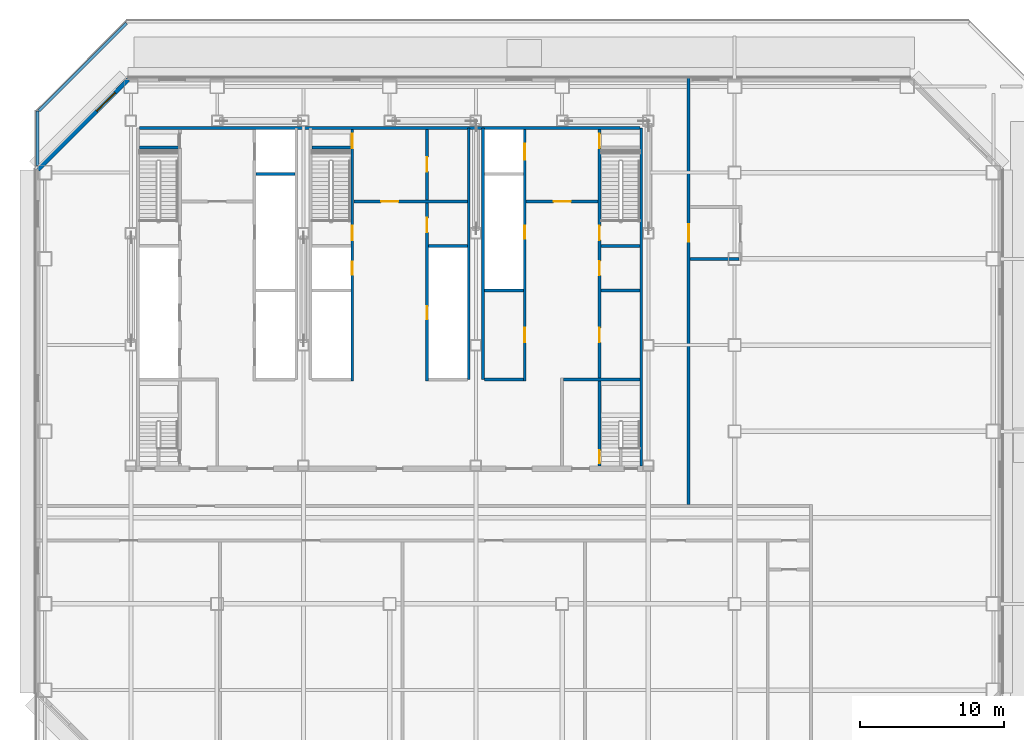
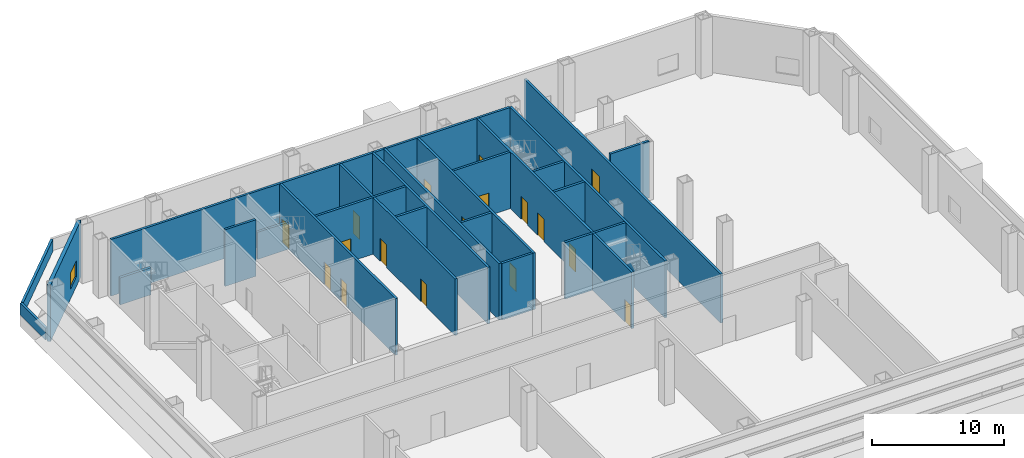
# One storey, part 5 of 11: 24 walls, 17 doors, 1 window, 18 openings.
"""IFC4 building model written with IfcOpenShell, lengths in metres."""

from ifc_helpers import new_model, si_unit, direction, frame, frame_2d, origin, place, context, subcontext, project, spatial, rectangle, extrude, material, layer, layer_set, type_object, element, fill, save


model = new_model("IFC4")

# Units and contexts
model_context = context("Model", 3, precision=1e-05, world=origin(), true_north=direction((0.0, 1.0)))
body_context = subcontext(model_context, "Body", "Model", "MODEL_VIEW")
ifc_project = project(units=[si_unit("LENGTHUNIT", "METRE"), si_unit("AREAUNIT", "SQUARE_METRE"), si_unit("VOLUMEUNIT", "CUBIC_METRE"), si_unit("PLANEANGLEUNIT", "RADIAN"), si_unit("MASSUNIT", "GRAM", prefix="KILO")], contexts=[model_context])

# Site, building, storey
site_placement = place(None, origin())
site = spatial("IfcSite", under=ifc_project, at=site_placement, CompositionType="ELEMENT")
building_placement = place(site_placement, origin())
building = spatial("IfcBuilding", under=site, at=building_placement, Name="Sorahane Residences", CompositionType="ELEMENT")
storey_placement = place(building_placement, frame((0.0, 0.0, 44.39990234375)))
storey = spatial("IfcBuildingStorey", under=building, at=storey_placement, Name="L07", CompositionType="ELEMENT", Elevation=44.39990234375)

# Walls
ifc_material_1 = material(Name="Concrete C30", Category="concrete")
ifc_layer_1 = layer(ifc_material_1, 0.199951171875)
ifc_layer_set_1 = layer_set([ifc_layer_1], Name="Core face wall 200 EI 180")
wall_type_1 = type_object("IfcWallType", Name="Core face wall 200 EI 180", PredefinedType="SOLIDWALL", material=ifc_layer_set_1)
wall_1_placement = place(storey_placement, frame((41.5, 21.60009765625, 0.0), z_axis=(0.0, 0.0, 1.0), x_axis=(0.0, 1.0, 0.0)))
element("IfcWall", 1, at=wall_1_placement, inside=storey, type_object=wall_type_1, Name="L07 core face wall", PredefinedType="SOLIDWALL", context=body_context, shape_type="SweptSolid", body=[
    extrude(rectangle(XDim=23.5, YDim=0.199951171875, at=frame_2d((11.75, 0.0))), origin(), (0.0, 0.0, 1.0), 5.22021484375),
])
wall_2_placement = place(storey_placement, frame((6.60009765625, 45.10009765625, 0.0), z_axis=(0.0, 0.0, 1.0), x_axis=(1.0, 0.0, 0.0)))
element("IfcWall", 2, at=wall_2_placement, inside=storey, type_object=wall_type_1, Name="L07 core face wall", PredefinedType="SOLIDWALL", context=body_context, shape_type="SweptSolid", body=[
    extrude(rectangle(XDim=34.7998046875, YDim=0.199951171875, at=frame_2d((17.39990234375, 0.0))), origin(), (0.0, 0.0, 1.0), 5.22021484375),
])
for number, where, z_axis, x_axis, name in (
    (3, (29.5, 27.60009765625, 0.0), (0.0, 0.0, 1.0), (0.0, 1.0, 0.0), "L07 core face wall"),
    (4, (30.5, 27.60009765625, 0.0), (0.0, 0.0, 1.0), (0.0, 1.0, 0.0), "L07 core face wall"),
):
    element("IfcWall", number, at=place(storey_placement, frame(where, z_axis=z_axis, x_axis=x_axis)), inside=storey, type_object=wall_type_1, Name=name, PredefinedType="SOLIDWALL", context=body_context, shape_type="SweptSolid", body=[
        extrude(rectangle(XDim=17.5, YDim=0.199951171875, at=frame_2d((8.75, 0.0))), origin(), (0.0, 0.0, 1.0), 5.22021484375),
    ])

# Wall, opening, window
ifc_material_2 = material(Name="Graphite insulated metal-clad wall")
ifc_layer_2 = layer(ifc_material_2, 0.300048828125)
ifc_layer_set_2 = layer_set([ifc_layer_2], Name="External wall insulated metal-clad 300")
wall_type_2 = type_object("IfcWallType", Name="External wall insulated metal-clad 300", PredefinedType="SOLIDWALL", material=ifc_layer_set_2)
wall_3_placement = place(storey_placement, frame((5.805419921875, 48.469970703125, 0.0), z_axis=(0.0, 0.0, 1.0), x_axis=(-0.707106781187, -0.707106781187, 0.0)))
wall_3 = element("IfcWall", 5, at=wall_3_placement, inside=storey, type_object=wall_type_2, Name="External plant wall L07 NW1", PredefinedType="SOLIDWALL", context=body_context, shape_type="SweptSolid", body=[
    extrude(rectangle(XDim=8.874755859375, YDim=0.300048828125, at=frame_2d((4.4375, 0.0))), origin(), (0.0, 0.0, 1.0), 5.22021484375),
])
opening_1_placement = place(wall_3_placement, frame((1.291748046875, 0.0, 0.89990234375)))
opening_1 = element("IfcOpeningElement", 6, at=opening_1_placement, cuts=wall_3, Name="Opening W-R1", PredefinedType="OPENING", context=body_context, shape_type="SweptSolid", body=[
    extrude(rectangle(XDim=1.800048828125, YDim=1.5, at=frame_2d((0.89990234375, 0.75))), frame((0.0, 0.159912109375, 0.0), z_axis=(0.0, -1.0, 0.0), x_axis=(1.0, 0.0, 0.0)), (0.0, 0.0, 1.0), 0.320068359375),
])
ifc_material_3 = material(Name="Dark aluminium and glass", Category="aluminium")
window_type = type_object("IfcWindowType", Name="Openable Class B fire window dark aluminium 1800x1500", PartitioningType="SINGLE_PANEL", PredefinedType="WINDOW", material=ifc_material_3)
window_placement = place(opening_1_placement, origin())
window = element("IfcWindow", 7, at=window_placement, inside=storey, type_object=window_type, Name="Openable fire window L07 NW1.1", OverallHeight=1.5, OverallWidth=1.800048828125, PartitioningType="SINGLE_PANEL", PredefinedType="WINDOW", context=body_context, shape_type="SweptSolid", body=[
    extrude(rectangle(XDim=1.800048828125, YDim=1.5, at=frame_2d((0.89990234375, 0.75))), frame((0.0, 0.030029296875, 0.0), z_axis=(0.0, -1.0, 0.0), x_axis=(1.0, 0.0, 0.0)), (0.0, 0.0, 1.0), 0.06005859375),
])
fill(opening_1, window)

# Wall, opening, door
ifc_material_4 = material(Name="Concrete blockwork C20 wall", Category="masonry")
ifc_layer_3 = layer(ifc_material_4, 0.199951171875)
ifc_layer_set_3 = layer_set([ifc_layer_3], Name="Fire wall 200 EI 120")
wall_type_3 = type_object("IfcWallType", Name="Fire wall 200 EI 120", PredefinedType="SOLIDWALL", material=ifc_layer_set_3)
wall_4_placement = place(storey_placement, frame((44.800048828125, 18.89990234375, 0.0), z_axis=(0.0, 0.0, 1.0), x_axis=(0.0, 1.0, 0.0)))
wall_4 = element("IfcWall", 8, at=wall_4_placement, inside=storey, type_object=wall_type_3, Name="L07 fire wall", PredefinedType="SOLIDWALL", context=body_context, shape_type="SweptSolid", body=[
    extrude(rectangle(XDim=29.7001953125, YDim=0.199951171875, at=frame_2d((14.85009765625, 0.0))), origin(), (0.0, 0.0, 1.0), 4.52001953125),
])
opening_2_placement = place(wall_4_placement, frame((18.300048828125, 0.0, 0.0)))
opening_2 = element("IfcOpeningElement", 9, at=opening_2_placement, cuts=wall_4, Name="Opening L07-09", PredefinedType="OPENING", context=body_context, shape_type="SweptSolid", body=[
    extrude(rectangle(XDim=1.199951171875, YDim=2.39990234375, at=frame_2d((0.60009765625, 1.199951171875))), frame((0.0, 0.10986328125, 0.0), z_axis=(0.0, -1.0, 0.0), x_axis=(1.0, 0.0, 0.0)), (0.0, 0.0, 1.0), 0.219970703125),
])
ifc_material_5 = material(Name="Steel", Category="steel")
door_type_1 = type_object("IfcDoorType", Name="Lobby door 1200x2400 FD60", OperationType="NOTDEFINED", PredefinedType="DOOR", material=ifc_material_5)
door_1_placement = place(opening_2_placement, origin())
door_1 = element("IfcDoor", 10, at=door_1_placement, inside=storey, type_object=door_type_1, Name="Lobby door L07-09", OperationType="SINGLE_SWING_LEFT", OverallHeight=2.39990234375, OverallWidth=1.199951171875, PredefinedType="DOOR", context=body_context, shape_type="SweptSolid", body=[
    extrude(rectangle(XDim=1.199951171875, YDim=2.39990234375, at=frame_2d((0.60009765625, 1.199951171875))), frame((0.0, 0.02490234375, 0.0), z_axis=(0.0, -1.0, 0.0), x_axis=(1.0, 0.0, 0.0)), (0.0, 0.0, 1.0), 0.050048828125),
])
fill(opening_2, door_1)

# Wall
wall_5_placement = place(storey_placement, frame((44.89990234375, 36.0, 0.0), z_axis=(0.0, 0.0, 1.0), x_axis=(1.0, 0.0, 0.0)))
element("IfcWall", 11, at=wall_5_placement, inside=storey, type_object=wall_type_3, Name="L07 fire wall", PredefinedType="SOLIDWALL", context=body_context, shape_type="SweptSolid", body=[
    extrude(rectangle(XDim=3.400146484375, YDim=0.199951171875, at=frame_2d((1.7001953125, 0.0))), origin(), (0.0, 0.0, 1.0), 5.22021484375),
])

# Wall, opening, door
ifc_material_6 = material(Name="Concrete C30", Category="concrete")
ifc_layer_4 = layer(ifc_material_6, 0.199951171875)
ifc_layer_set_4 = layer_set([ifc_layer_4], Name="Front room wall 200 EI 120")
wall_type_4 = type_object("IfcWallType", Name="Front room wall 200 EI 120", PredefinedType="PARTITIONING", material=ifc_layer_set_4)
wall_6_placement = place(storey_placement, frame((21.5, 40.0, 0.0), z_axis=(0.0, 0.0, 1.0), x_axis=(1.0, 0.0, 0.0)))
wall_6 = element("IfcWall", 12, at=wall_6_placement, inside=storey, type_object=wall_type_4, Name="L07 front room wall", PredefinedType="PARTITIONING", context=body_context, shape_type="SweptSolid", body=[
    extrude(rectangle(XDim=7.89990234375, YDim=0.199951171875, at=frame_2d((3.949951171875, 0.0))), origin(), (0.0, 0.0, 1.0), 5.22021484375),
])
opening_3_placement = place(wall_6_placement, frame((1.89990234375, 0.0, 0.0)))
opening_3 = element("IfcOpeningElement", 13, at=opening_3_placement, cuts=wall_6, Name="Opening L07-C07", PredefinedType="OPENING", context=body_context, shape_type="SweptSolid", body=[
    extrude(rectangle(XDim=1.199951171875, YDim=2.10009765625, at=frame_2d((0.60009765625, 1.050048828125))), frame((0.0, 0.10986328125, 0.0), z_axis=(0.0, -1.0, 0.0), x_axis=(1.0, 0.0, 0.0)), (0.0, 0.0, 1.0), 0.219970703125),
])
ifc_material_7 = material(Name="Steel", Category="steel")
door_type_2 = type_object("IfcDoorType", Name="Front room door 1200x2100 FD120", OperationType="NOTDEFINED", PredefinedType="DOOR", material=ifc_material_7)
door_2_placement = place(opening_3_placement, frame((1.199951171875, 0.0, 0.0), z_axis=(0.0, 0.0, 1.0), x_axis=(-1.0, 0.0, 0.0)))
door_2 = element("IfcDoor", 14, at=door_2_placement, inside=storey, type_object=door_type_2, Name="Front room door Stair S3 vestibule L07", OperationType="DOUBLE_DOOR_SINGLE_SWING", OverallHeight=2.10009765625, OverallWidth=1.199951171875, PredefinedType="DOOR", context=body_context, shape_type="SweptSolid", body=[
    extrude(rectangle(XDim=1.199951171875, YDim=2.10009765625, at=frame_2d((0.60009765625, 1.050048828125))), frame((0.0, 0.02490234375, 0.0), z_axis=(0.0, -1.0, 0.0), x_axis=(1.0, 0.0, 0.0)), (0.0, 0.0, 1.0), 0.050048828125),
])
fill(opening_3, door_2)

wall_7_placement = place(storey_placement, frame((33.5, 40.0, 0.0), z_axis=(0.0, 0.0, 1.0), x_axis=(1.0, 0.0, 0.0)))
wall_7 = element("IfcWall", 15, at=wall_7_placement, inside=storey, type_object=wall_type_4, Name="L07 front room wall", PredefinedType="PARTITIONING", context=body_context, shape_type="SweptSolid", body=[
    extrude(rectangle(XDim=5.0, YDim=0.199951171875, at=frame_2d((2.5, 0.0))), origin(), (0.0, 0.0, 1.0), 5.22021484375),
])
opening_4_placement = place(wall_7_placement, frame((1.89990234375, 0.0, 0.0)))
opening_4 = element("IfcOpeningElement", 16, at=opening_4_placement, cuts=wall_7, Name="Opening L07-C08", PredefinedType="OPENING", context=body_context, shape_type="SweptSolid", body=[
    extrude(rectangle(XDim=1.199951171875, YDim=2.10009765625, at=frame_2d((0.60009765625, 1.050048828125))), frame((0.0, 0.10986328125, 0.0), z_axis=(0.0, -1.0, 0.0), x_axis=(1.0, 0.0, 0.0)), (0.0, 0.0, 1.0), 0.219970703125),
])
door_3_placement = place(opening_4_placement, frame((1.199951171875, 0.0, 0.0), z_axis=(0.0, 0.0, 1.0), x_axis=(-1.0, 0.0, 0.0)))
door_3 = element("IfcDoor", 17, at=door_3_placement, inside=storey, type_object=door_type_2, Name="Front room door Firefighting lobby FF2 front room L07", OperationType="DOUBLE_DOOR_SINGLE_SWING", OverallHeight=2.10009765625, OverallWidth=1.199951171875, PredefinedType="DOOR", context=body_context, shape_type="SweptSolid", body=[
    extrude(rectangle(XDim=1.199951171875, YDim=2.10009765625, at=frame_2d((0.60009765625, 1.050048828125))), frame((0.0, 0.02490234375, 0.0), z_axis=(0.0, -1.0, 0.0), x_axis=(1.0, 0.0, 0.0)), (0.0, 0.0, 1.0), 0.050048828125),
])
fill(opening_4, door_3)

# Wall, openings, doors
ifc_material_8 = material(Name="Concrete C30", Category="concrete")
ifc_layer_5 = layer(ifc_material_8, 0.199951171875)
ifc_layer_set_5 = layer_set([ifc_layer_5], Name="Lift shaft wall 200 EI 120")
wall_type_5 = type_object("IfcWallType", Name="Lift shaft wall 200 EI 120", PredefinedType="SOLIDWALL", material=ifc_layer_set_5)
wall_8_placement = place(storey_placement, frame((33.39990234375, 27.5, 0.0), z_axis=(0.0, 0.0, 1.0), x_axis=(0.0, 1.0, 0.0)))
wall_8 = element("IfcWall", 18, at=wall_8_placement, inside=storey, type_object=wall_type_5, Name="L07 lift shaft wall", PredefinedType="SOLIDWALL", context=body_context, shape_type="SweptSolid", body=[
    extrude(rectangle(XDim=17.5, YDim=0.199951171875, at=frame_2d((8.75, 0.0))), origin(), (0.0, 0.0, 1.0), 5.22021484375),
])
opening_5_placement = place(wall_8_placement, frame((15.39990234375, 0.0, 0.0)))
opening_5 = element("IfcOpeningElement", 19, at=opening_5_placement, cuts=wall_8, Name="Opening L07-C09", PredefinedType="OPENING", context=body_context, shape_type="SweptSolid", body=[
    extrude(rectangle(XDim=1.10009765625, YDim=2.10009765625, at=frame_2d((0.550048828125, 1.050048828125))), frame((0.0, 0.10986328125, 0.0), z_axis=(0.0, -1.0, 0.0), x_axis=(1.0, 0.0, 0.0)), (0.0, 0.0, 1.0), 0.219970703125),
])
opening_6_placement = place(wall_8_placement, frame((2.699951171875, 0.0, 0.0)))
opening_6 = element("IfcOpeningElement", 20, at=opening_6_placement, cuts=wall_8, Name="Opening L07-C18", PredefinedType="OPENING", context=body_context, shape_type="SweptSolid", body=[
    extrude(rectangle(XDim=1.0, YDim=2.10009765625, at=frame_2d((0.5, 1.050048828125))), frame((0.0, 0.10986328125, 0.0), z_axis=(0.0, -1.0, 0.0), x_axis=(1.0, 0.0, 0.0)), (0.0, 0.0, 1.0), 0.219970703125),
])
opening_7_placement = place(wall_8_placement, frame((9.89990234375, 0.0, 0.0)))
opening_7 = element("IfcOpeningElement", 21, at=opening_7_placement, cuts=wall_8, Name="Opening L07-C30", PredefinedType="OPENING", context=body_context, shape_type="SweptSolid", body=[
    extrude(rectangle(XDim=0.89990234375, YDim=2.10009765625, at=frame_2d((0.449951171875, 1.050048828125))), frame((0.0, 0.10986328125, 0.0), z_axis=(0.0, -1.0, 0.0), x_axis=(1.0, 0.0, 0.0)), (0.0, 0.0, 1.0), 0.219970703125),
])
ifc_material_9 = material(Name="Aluminium and stainless steel", Category="steel")
door_type_3 = type_object("IfcDoorType", Name="Lift landing door 1100x2100 E 60", OperationType="NOTDEFINED", PredefinedType="DOOR", material=ifc_material_9)
door_4_placement = place(opening_5_placement, origin())
door_4 = element("IfcDoor", 22, at=door_4_placement, inside=storey, type_object=door_type_3, Name="Lift landing door FF2 L07", OperationType="DOUBLE_DOOR_SLIDING", OverallHeight=2.10009765625, OverallWidth=1.10009765625, PredefinedType="DOOR", context=body_context, shape_type="SweptSolid", body=[
    extrude(rectangle(XDim=1.10009765625, YDim=2.10009765625, at=frame_2d((0.550048828125, 1.050048828125))), frame((0.0, 0.02490234375, 0.0), z_axis=(0.0, -1.0, 0.0), x_axis=(1.0, 0.0, 0.0)), (0.0, 0.0, 1.0), 0.050048828125),
])
fill(opening_5, door_4)
ifc_material_10 = material(Name="Steel", Category="steel")
door_type_4 = type_object("IfcDoorType", Name="Riser door 900x2100 FD120", OperationType="NOTDEFINED", PredefinedType="DOOR", material=ifc_material_10)
door_5_placement = place(opening_7_placement, frame((0.89990234375, 0.0, 0.0), z_axis=(0.0, 0.0, 1.0), x_axis=(-1.0, 0.0, 0.0)))
door_5 = element("IfcDoor", 23, at=door_5_placement, inside=storey, type_object=door_type_4, Name="Riser door R2 L07", OperationType="SINGLE_SWING_LEFT", OverallHeight=2.10009765625, OverallWidth=0.89990234375, PredefinedType="DOOR", context=body_context, shape_type="SweptSolid", body=[
    extrude(rectangle(XDim=0.89990234375, YDim=2.10009765625, at=frame_2d((0.449951171875, 1.050048828125))), frame((0.0, 0.02490234375, 0.0), z_axis=(0.0, -1.0, 0.0), x_axis=(1.0, 0.0, 0.0)), (0.0, 0.0, 1.0), 0.050048828125),
])
fill(opening_7, door_5)
ifc_material_11 = material(Name="Steel", Category="steel")
door_type_5 = type_object("IfcDoorType", Name="Service room door 1000x2100 FD60", OperationType="NOTDEFINED", PredefinedType="DOOR", material=ifc_material_11)
door_6_placement = place(opening_6_placement, origin())
door_6 = element("IfcDoor", 24, at=door_6_placement, inside=storey, type_object=door_type_5, Name="Service room door Audio room L07", OperationType="SINGLE_SWING_RIGHT", OverallHeight=2.10009765625, OverallWidth=1.0, PredefinedType="DOOR", context=body_context, shape_type="SweptSolid", body=[
    extrude(rectangle(XDim=1.0, YDim=2.10009765625, at=frame_2d((0.5, 1.050048828125))), frame((0.0, 0.02490234375, 0.0), z_axis=(0.0, -1.0, 0.0), x_axis=(1.0, 0.0, 0.0)), (0.0, 0.0, 1.0), 0.050048828125),
])
fill(opening_6, door_6)

# Walls
wall_9_placement = place(storey_placement, frame((14.699951171875, 41.89990234375, 0.0), z_axis=(0.0, 0.0, 1.0), x_axis=(1.0, 0.0, 0.0)))
element("IfcWall", 25, at=wall_9_placement, inside=storey, type_object=wall_type_5, Name="L07 lift shaft wall", PredefinedType="SOLIDWALL", context=body_context, shape_type="SweptSolid", body=[
    extrude(rectangle(XDim=2.699951171875, YDim=0.199951171875, at=frame_2d((1.35009765625, 0.0))), origin(), (0.0, 0.0, 1.0), 5.22021484375),
])
ifc_material_12 = material(Name="Concrete C35", Category="concrete")
ifc_layer_6 = layer(ifc_material_12, 0.199951171875)
ifc_layer_set_6 = layer_set([ifc_layer_6], Name="Parapet wall Concrete C35 200")
wall_type_6 = type_object("IfcWallType", Name="Parapet wall Concrete C35 200", PredefinedType="PARAPET", material=ifc_layer_set_6)
wall_10_placement = place(storey_placement, frame((-0.5, 42.489990234375, 0.0), z_axis=(0.0, 0.0, 1.0), x_axis=(0.0, 1.0, 0.0)))
element("IfcWall", 26, at=wall_10_placement, inside=storey, type_object=wall_type_6, Name="Roof parapet L07.1.1.1", PredefinedType="PARAPET", context=body_context, shape_type="SweptSolid", body=[
    extrude(rectangle(XDim=3.817138671875, YDim=0.199951171875, at=frame_2d((1.90869140625, 0.0))), origin(), (0.0, 0.0, 1.0), 1.10009765625),
])
wall_11_placement = place(storey_placement, frame((-0.3974609375, 46.3095703125, 0.0), z_axis=(0.0, 0.0, 1.0), x_axis=(0.707106781187, 0.707106781187, 0.0)))
element("IfcWall", 27, at=wall_11_placement, inside=storey, type_object=wall_type_6, Name="Roof parapet L07.1.1.2", PredefinedType="PARAPET", context=body_context, shape_type="SweptSolid", body=[
    extrude(rectangle(XDim=8.609619140625, YDim=0.199951171875, at=frame_2d((4.3046875, 0.0))), origin(), (0.0, 0.0, 1.0), 1.10009765625),
])

# Wall, openings, doors
ifc_material_13 = material(Name="Concrete C30", Category="concrete")
ifc_layer_7 = layer(ifc_material_13, 0.199951171875)
ifc_layer_set_7 = layer_set([ifc_layer_7], Name="Riser shaft wall 200 EI 120")
wall_type_7 = type_object("IfcWallType", Name="Riser shaft wall 200 EI 120", PredefinedType="SOLIDWALL", material=ifc_layer_set_7)
wall_12_placement = place(storey_placement, frame((26.60009765625, 27.5, 0.0), z_axis=(0.0, 0.0, 1.0), x_axis=(0.0, 1.0, 0.0)))
wall_12 = element("IfcWall", 28, at=wall_12_placement, inside=storey, type_object=wall_type_7, Name="L07 riser wall", PredefinedType="SOLIDWALL", context=body_context, shape_type="SweptSolid", body=[
    extrude(rectangle(XDim=17.5, YDim=0.199951171875, at=frame_2d((8.75, 0.0))), origin(), (0.0, 0.0, 1.0), 5.22021484375),
])
opening_8_placement = place(wall_12_placement, frame((4.300048828125, 0.0, 0.0)))
opening_8 = element("IfcOpeningElement", 29, at=opening_8_placement, cuts=wall_12, Name="Opening L07-C32", PredefinedType="OPENING", context=body_context, shape_type="SweptSolid", body=[
    extrude(rectangle(XDim=0.89990234375, YDim=2.10009765625, at=frame_2d((0.449951171875, 1.050048828125))), frame((0.0, 0.10986328125, 0.0), z_axis=(0.0, -1.0, 0.0), x_axis=(1.0, 0.0, 0.0)), (0.0, 0.0, 1.0), 0.219970703125),
])
opening_9_placement = place(wall_12_placement, frame((10.35009765625, 0.0, 0.0)))
opening_9 = element("IfcOpeningElement", 30, at=opening_9_placement, cuts=wall_12, Name="Opening L07-C33", PredefinedType="OPENING", context=body_context, shape_type="SweptSolid", body=[
    extrude(rectangle(XDim=1.0, YDim=2.10009765625, at=frame_2d((0.5, 1.050048828125))), frame((0.0, 0.10986328125, 0.0), z_axis=(0.0, -1.0, 0.0), x_axis=(1.0, 0.0, 0.0)), (0.0, 0.0, 1.0), 0.219970703125),
])
opening_10_placement = place(wall_12_placement, frame((14.574951171875, 0.0, 0.0)))
opening_10 = element("IfcOpeningElement", 31, at=opening_10_placement, cuts=wall_12, Name="Opening L07-C34", PredefinedType="OPENING", context=body_context, shape_type="SweptSolid", body=[
    extrude(rectangle(XDim=1.0, YDim=2.10009765625, at=frame_2d((0.5, 1.050048828125))), frame((0.0, 0.10986328125, 0.0), z_axis=(0.0, -1.0, 0.0), x_axis=(1.0, 0.0, 0.0)), (0.0, 0.0, 1.0), 0.219970703125),
])
door_7_placement = place(opening_8_placement, origin())
door_7 = element("IfcDoor", 32, at=door_7_placement, inside=storey, type_object=door_type_4, Name="Riser door R4 L07", OperationType="SINGLE_SWING_LEFT", OverallHeight=2.10009765625, OverallWidth=0.89990234375, PredefinedType="DOOR", context=body_context, shape_type="SweptSolid", body=[
    extrude(rectangle(XDim=0.89990234375, YDim=2.10009765625, at=frame_2d((0.449951171875, 1.050048828125))), frame((0.0, 0.02490234375, 0.0), z_axis=(0.0, -1.0, 0.0), x_axis=(1.0, 0.0, 0.0)), (0.0, 0.0, 1.0), 0.050048828125),
])
fill(opening_8, door_7)
door_8_placement = place(opening_9_placement, frame((1.0, 0.0, 0.0), z_axis=(0.0, 0.0, 1.0), x_axis=(-1.0, 0.0, 0.0)))
door_8 = element("IfcDoor", 33, at=door_8_placement, inside=storey, type_object=door_type_5, Name="Service room door Linen room L07", OperationType="SINGLE_SWING_LEFT", OverallHeight=2.10009765625, OverallWidth=1.0, PredefinedType="DOOR", context=body_context, shape_type="SweptSolid", body=[
    extrude(rectangle(XDim=1.0, YDim=2.10009765625, at=frame_2d((0.5, 1.050048828125))), frame((0.0, 0.02490234375, 0.0), z_axis=(0.0, -1.0, 0.0), x_axis=(1.0, 0.0, 0.0)), (0.0, 0.0, 1.0), 0.050048828125),
])
fill(opening_9, door_8)
door_9_placement = place(opening_10_placement, frame((1.0, 0.0, 0.0), z_axis=(0.0, 0.0, 1.0), x_axis=(-1.0, 0.0, 0.0)))
door_9 = element("IfcDoor", 34, at=door_9_placement, inside=storey, type_object=door_type_5, Name="Service room door Cleaners' store L07", OperationType="SINGLE_SWING_LEFT", OverallHeight=2.10009765625, OverallWidth=1.0, PredefinedType="DOOR", context=body_context, shape_type="SweptSolid", body=[
    extrude(rectangle(XDim=1.0, YDim=2.10009765625, at=frame_2d((0.5, 1.050048828125))), frame((0.0, 0.02490234375, 0.0), z_axis=(0.0, -1.0, 0.0), x_axis=(1.0, 0.0, 0.0)), (0.0, 0.0, 1.0), 0.050048828125),
])
fill(opening_10, door_9)

# Walls
for number, where, z_axis, x_axis, name in (
    (35, (30.60009765625, 33.800048828125, 0.0), (0.0, 0.0, 1.0), (1.0, 0.0, 0.0), "L07 riser wall"),
    (36, (26.699951171875, 36.89990234375, 0.0), (0.0, 0.0, 1.0), (1.0, 0.0, 0.0), "L07 riser wall"),
):
    element("IfcWall", number, at=place(storey_placement, frame(where, z_axis=z_axis, x_axis=x_axis)), inside=storey, type_object=wall_type_7, Name=name, PredefinedType="SOLIDWALL", context=body_context, shape_type="SweptSolid", body=[
        extrude(rectangle(XDim=2.699951171875, YDim=0.199951171875, at=frame_2d((1.35009765625, 0.0))), origin(), (0.0, 0.0, 1.0), 5.22021484375),
    ])
ifc_material_14 = material(Name="Concrete C30", Category="concrete")
ifc_layer_8 = layer(ifc_material_14, 0.199951171875)
ifc_layer_set_8 = layer_set([ifc_layer_8], Name="Service room partition 200 EI 60")
wall_type_8 = type_object("IfcWallType", Name="Service room partition 200 EI 60", PredefinedType="PARTITIONING", material=ifc_layer_set_8)
for number, where, z_axis, x_axis, name in (
    (37, (30.60009765625, 27.60009765625, 0.0), (0.0, 0.0, 1.0), (1.0, 0.0, 0.0), "L07 service room wall"),
    (38, (38.699951171875, 33.800048828125, 0.0), (0.0, 0.0, 1.0), (1.0, 0.0, 0.0), "L07 service room wall"),
):
    element("IfcWall", number, at=place(storey_placement, frame(where, z_axis=z_axis, x_axis=x_axis)), inside=storey, type_object=wall_type_8, Name=name, PredefinedType="PARTITIONING", context=body_context, shape_type="SweptSolid", body=[
        extrude(rectangle(XDim=2.699951171875, YDim=0.199951171875, at=frame_2d((1.35009765625, 0.0))), origin(), (0.0, 0.0, 1.0), 5.22021484375),
    ])

# Wall, openings, doors
ifc_material_15 = material(Name="Concrete C30", Category="concrete")
ifc_layer_9 = layer(ifc_material_15, 0.199951171875)
ifc_layer_set_9 = layer_set([ifc_layer_9], Name="Stair enclosure wall 200 EI 120")
wall_type_9 = type_object("IfcWallType", Name="Stair enclosure wall 200 EI 120", PredefinedType="SOLIDWALL", material=ifc_layer_set_9)
wall_13_placement = place(storey_placement, frame((21.39990234375, 27.5, 0.0), z_axis=(0.0, 0.0, 1.0), x_axis=(0.0, 1.0, 0.0)))
wall_13 = element("IfcWall", 39, at=wall_13_placement, inside=storey, type_object=wall_type_9, Name="L07 stair enclosure wall", PredefinedType="SOLIDWALL", context=body_context, shape_type="SweptSolid", body=[
    extrude(rectangle(XDim=17.5, YDim=0.199951171875, at=frame_2d((8.75, 0.0))), origin(), (0.0, 0.0, 1.0), 5.22021484375),
])
opening_11_placement = place(wall_13_placement, frame((16.199951171875, 0.0, 0.0)))
opening_11 = element("IfcOpeningElement", 40, at=opening_11_placement, cuts=wall_13, Name="Opening L07-C23", PredefinedType="OPENING", context=body_context, shape_type="SweptSolid", body=[
    extrude(rectangle(XDim=1.0, YDim=2.10009765625, at=frame_2d((0.5, 1.050048828125))), frame((0.0, 0.10986328125, 0.0), z_axis=(0.0, -1.0, 0.0), x_axis=(1.0, 0.0, 0.0)), (0.0, 0.0, 1.0), 0.219970703125),
])
opening_12_placement = place(wall_13_placement, frame((9.800048828125, 0.0, 0.0)))
opening_12 = element("IfcOpeningElement", 41, at=opening_12_placement, cuts=wall_13, Name="Opening L07-C24", PredefinedType="OPENING", context=body_context, shape_type="SweptSolid", body=[
    extrude(rectangle(XDim=1.0, YDim=2.10009765625, at=frame_2d((0.5, 1.050048828125))), frame((0.0, 0.10986328125, 0.0), z_axis=(0.0, -1.0, 0.0), x_axis=(1.0, 0.0, 0.0)), (0.0, 0.0, 1.0), 0.219970703125),
])
opening_13_placement = place(wall_13_placement, frame((7.39990234375, 0.0, 0.0)))
opening_13 = element("IfcOpeningElement", 42, at=opening_13_placement, cuts=wall_13, Name="Opening L07-C31", PredefinedType="OPENING", context=body_context, shape_type="SweptSolid", body=[
    extrude(rectangle(XDim=0.89990234375, YDim=2.10009765625, at=frame_2d((0.449951171875, 1.050048828125))), frame((0.0, 0.10986328125, 0.0), z_axis=(0.0, -1.0, 0.0), x_axis=(1.0, 0.0, 0.0)), (0.0, 0.0, 1.0), 0.219970703125),
])
ifc_material_16 = material(Name="Steel", Category="steel")
door_type_6 = type_object("IfcDoorType", Name="Refuge stair door 1000x2100 FD120", OperationType="NOTDEFINED", PredefinedType="DOOR", material=ifc_material_16)
door_10_placement = place(opening_11_placement, origin())
door_10 = element("IfcDoor", 43, at=door_10_placement, inside=storey, type_object=door_type_6, Name="Refuge stair door S3 L07", OperationType="SINGLE_SWING_LEFT", OverallHeight=2.10009765625, OverallWidth=1.0, PredefinedType="DOOR", context=body_context, shape_type="SweptSolid", body=[
    extrude(rectangle(XDim=1.0, YDim=2.10009765625, at=frame_2d((0.5, 1.050048828125))), frame((0.0, 0.02490234375, 0.0), z_axis=(0.0, -1.0, 0.0), x_axis=(1.0, 0.0, 0.0)), (0.0, 0.0, 1.0), 0.050048828125),
])
fill(opening_11, door_10)
door_11_placement = place(opening_12_placement, origin())
door_11 = element("IfcDoor", 44, at=door_11_placement, inside=storey, type_object=door_type_6, Name="Refuge stair door S3 L07", OperationType="SINGLE_SWING_LEFT", OverallHeight=2.10009765625, OverallWidth=1.0, PredefinedType="DOOR", context=body_context, shape_type="SweptSolid", body=[
    extrude(rectangle(XDim=1.0, YDim=2.10009765625, at=frame_2d((0.5, 1.050048828125))), frame((0.0, 0.02490234375, 0.0), z_axis=(0.0, -1.0, 0.0), x_axis=(1.0, 0.0, 0.0)), (0.0, 0.0, 1.0), 0.050048828125),
])
fill(opening_12, door_11)
door_12_placement = place(opening_13_placement, frame((0.89990234375, 0.0, 0.0), z_axis=(0.0, 0.0, 1.0), x_axis=(-1.0, 0.0, 0.0)))
door_12 = element("IfcDoor", 45, at=door_12_placement, inside=storey, type_object=door_type_4, Name="Riser door R3 L07", OperationType="SINGLE_SWING_LEFT", OverallHeight=2.10009765625, OverallWidth=0.89990234375, PredefinedType="DOOR", context=body_context, shape_type="SweptSolid", body=[
    extrude(rectangle(XDim=0.89990234375, YDim=2.10009765625, at=frame_2d((0.449951171875, 1.050048828125))), frame((0.0, 0.02490234375, 0.0), z_axis=(0.0, -1.0, 0.0), x_axis=(1.0, 0.0, 0.0)), (0.0, 0.0, 1.0), 0.050048828125),
])
fill(opening_13, door_12)

wall_14_placement = place(storey_placement, frame((38.60009765625, 21.60009765625, 0.0), z_axis=(0.0, 0.0, 1.0), x_axis=(0.0, 1.0, 0.0)))
wall_14 = element("IfcWall", 46, at=wall_14_placement, inside=storey, type_object=wall_type_9, Name="L07 stair enclosure wall", PredefinedType="SOLIDWALL", context=body_context, shape_type="SweptSolid", body=[
    extrude(rectangle(XDim=23.39990234375, YDim=0.199951171875, at=frame_2d((11.699951171875, 0.0))), origin(), (0.0, 0.0, 1.0), 5.22021484375),
])
opening_14_placement = place(wall_14_placement, frame((8.60009765625, 0.0, 0.0)))
opening_14 = element("IfcOpeningElement", 47, at=opening_14_placement, cuts=wall_14, Name="Opening L07-C16", PredefinedType="OPENING", context=body_context, shape_type="SweptSolid", body=[
    extrude(rectangle(XDim=1.0, YDim=2.10009765625, at=frame_2d((0.5, 1.050048828125))), frame((0.0, 0.10986328125, 0.0), z_axis=(0.0, -1.0, 0.0), x_axis=(1.0, 0.0, 0.0)), (0.0, 0.0, 1.0), 0.219970703125),
])
opening_15_placement = place(wall_14_placement, frame((13.25, 0.0, 0.0)))
opening_15 = element("IfcOpeningElement", 48, at=opening_15_placement, cuts=wall_14, Name="Opening L07-C17", PredefinedType="OPENING", context=body_context, shape_type="SweptSolid", body=[
    extrude(rectangle(XDim=1.0, YDim=2.10009765625, at=frame_2d((0.5, 1.050048828125))), frame((0.0, 0.10986328125, 0.0), z_axis=(0.0, -1.0, 0.0), x_axis=(1.0, 0.0, 0.0)), (0.0, 0.0, 1.0), 0.219970703125),
])
opening_16_placement = place(wall_14_placement, frame((22.10009765625, 0.0, 0.0)))
opening_16 = element("IfcOpeningElement", 49, at=opening_16_placement, cuts=wall_14, Name="Opening L07-C21", PredefinedType="OPENING", context=body_context, shape_type="SweptSolid", body=[
    extrude(rectangle(XDim=1.0, YDim=2.10009765625, at=frame_2d((0.5, 1.050048828125))), frame((0.0, 0.10986328125, 0.0), z_axis=(0.0, -1.0, 0.0), x_axis=(1.0, 0.0, 0.0)), (0.0, 0.0, 1.0), 0.219970703125),
])
opening_17_placement = place(wall_14_placement, frame((15.699951171875, 0.0, 0.0)))
opening_17 = element("IfcOpeningElement", 50, at=opening_17_placement, cuts=wall_14, Name="Opening L07-C22", PredefinedType="OPENING", context=body_context, shape_type="SweptSolid", body=[
    extrude(rectangle(XDim=1.0, YDim=2.10009765625, at=frame_2d((0.5, 1.050048828125))), frame((0.0, 0.10986328125, 0.0), z_axis=(0.0, -1.0, 0.0), x_axis=(1.0, 0.0, 0.0)), (0.0, 0.0, 1.0), 0.219970703125),
])
opening_18_placement = place(wall_14_placement, frame((0.175048828125, 0.0, 0.0)))
opening_18 = element("IfcOpeningElement", 51, at=opening_18_placement, cuts=wall_14, Name="Opening L07-C27", PredefinedType="OPENING", context=body_context, shape_type="SweptSolid", body=[
    extrude(rectangle(XDim=0.89990234375, YDim=2.10009765625, at=frame_2d((0.449951171875, 1.050048828125))), frame((0.0, 0.10986328125, 0.0), z_axis=(0.0, -1.0, 0.0), x_axis=(1.0, 0.0, 0.0)), (0.0, 0.0, 1.0), 0.219970703125),
])
door_13_placement = place(opening_16_placement, frame((1.0, 0.0, 0.0), z_axis=(0.0, 0.0, 1.0), x_axis=(-1.0, 0.0, 0.0)))
door_13 = element("IfcDoor", 52, at=door_13_placement, inside=storey, type_object=door_type_6, Name="Refuge stair door S2 L07", OperationType="SINGLE_SWING_LEFT", OverallHeight=2.10009765625, OverallWidth=1.0, PredefinedType="DOOR", context=body_context, shape_type="SweptSolid", body=[
    extrude(rectangle(XDim=1.0, YDim=2.10009765625, at=frame_2d((0.5, 1.050048828125))), frame((0.0, 0.02490234375, 0.0), z_axis=(0.0, -1.0, 0.0), x_axis=(1.0, 0.0, 0.0)), (0.0, 0.0, 1.0), 0.050048828125),
])
fill(opening_16, door_13)
door_14_placement = place(opening_17_placement, frame((1.0, 0.0, 0.0), z_axis=(0.0, 0.0, 1.0), x_axis=(-1.0, 0.0, 0.0)))
door_14 = element("IfcDoor", 53, at=door_14_placement, inside=storey, type_object=door_type_6, Name="Refuge stair door S2 L07", OperationType="SINGLE_SWING_LEFT", OverallHeight=2.10009765625, OverallWidth=1.0, PredefinedType="DOOR", context=body_context, shape_type="SweptSolid", body=[
    extrude(rectangle(XDim=1.0, YDim=2.10009765625, at=frame_2d((0.5, 1.050048828125))), frame((0.0, 0.02490234375, 0.0), z_axis=(0.0, -1.0, 0.0), x_axis=(1.0, 0.0, 0.0)), (0.0, 0.0, 1.0), 0.050048828125),
])
fill(opening_17, door_14)
ifc_material_17 = material(Name="Steel", Category="steel")
door_type_7 = type_object("IfcDoorType", Name="Refuge stair door 900x2100 FD120", OperationType="NOTDEFINED", PredefinedType="DOOR", material=ifc_material_17)
door_15_placement = place(opening_18_placement, frame((0.89990234375, 0.0, 0.0), z_axis=(0.0, 0.0, 1.0), x_axis=(-1.0, 0.0, 0.0)))
door_15 = element("IfcDoor", 54, at=door_15_placement, inside=storey, type_object=door_type_7, Name="Refuge stair door S5 L07", OperationType="SINGLE_SWING_LEFT", OverallHeight=2.10009765625, OverallWidth=0.89990234375, PredefinedType="DOOR", context=body_context, shape_type="SweptSolid", body=[
    extrude(rectangle(XDim=0.89990234375, YDim=2.10009765625, at=frame_2d((0.449951171875, 1.050048828125))), frame((0.0, 0.02490234375, 0.0), z_axis=(0.0, -1.0, 0.0), x_axis=(1.0, 0.0, 0.0)), (0.0, 0.0, 1.0), 0.050048828125),
])
fill(opening_18, door_15)
door_16_placement = place(opening_14_placement, frame((1.0, 0.0, 0.0), z_axis=(0.0, 0.0, 1.0), x_axis=(-1.0, 0.0, 0.0)))
door_16 = element("IfcDoor", 55, at=door_16_placement, inside=storey, type_object=door_type_5, Name="Service room door Audio room L07", OperationType="SINGLE_SWING_RIGHT", OverallHeight=2.10009765625, OverallWidth=1.0, PredefinedType="DOOR", context=body_context, shape_type="SweptSolid", body=[
    extrude(rectangle(XDim=1.0, YDim=2.10009765625, at=frame_2d((0.5, 1.050048828125))), frame((0.0, 0.02490234375, 0.0), z_axis=(0.0, -1.0, 0.0), x_axis=(1.0, 0.0, 0.0)), (0.0, 0.0, 1.0), 0.050048828125),
])
fill(opening_14, door_16)
door_17_placement = place(opening_15_placement, frame((1.0, 0.0, 0.0), z_axis=(0.0, 0.0, 1.0), x_axis=(-1.0, 0.0, 0.0)))
door_17 = element("IfcDoor", 56, at=door_17_placement, inside=storey, type_object=door_type_5, Name="Service room door Valet store L07", OperationType="SINGLE_SWING_LEFT", OverallHeight=2.10009765625, OverallWidth=1.0, PredefinedType="DOOR", context=body_context, shape_type="SweptSolid", body=[
    extrude(rectangle(XDim=1.0, YDim=2.10009765625, at=frame_2d((0.5, 1.050048828125))), frame((0.0, 0.02490234375, 0.0), z_axis=(0.0, -1.0, 0.0), x_axis=(1.0, 0.0, 0.0)), (0.0, 0.0, 1.0), 0.050048828125),
])
fill(opening_15, door_17)

# Walls
wall_15_placement = place(storey_placement, frame((36.10009765625, 27.60009765625, 0.0), z_axis=(0.0, 0.0, 1.0), x_axis=(1.0, 0.0, 0.0)))
element("IfcWall", 57, at=wall_15_placement, inside=storey, type_object=wall_type_9, Name="L07 stair enclosure wall", PredefinedType="SOLIDWALL", context=body_context, shape_type="SweptSolid", body=[
    extrude(rectangle(XDim=5.2998046875, YDim=0.199951171875, at=frame_2d((2.64990234375, 0.0))), origin(), (0.0, 0.0, 1.0), 5.22021484375),
])
wall_16_placement = place(storey_placement, frame((38.699951171875, 36.89990234375, 0.0), z_axis=(0.0, 0.0, 1.0), x_axis=(1.0, 0.0, 0.0)))
element("IfcWall", 58, at=wall_16_placement, inside=storey, type_object=wall_type_9, Name="L07 stair enclosure wall", PredefinedType="SOLIDWALL", context=body_context, shape_type="SweptSolid", body=[
    extrude(rectangle(XDim=2.699951171875, YDim=0.199951171875, at=frame_2d((1.35009765625, 0.0))), origin(), (0.0, 0.0, 1.0), 5.22021484375),
])
for number, where, z_axis, x_axis, name in (
    (59, (18.60009765625, 43.75, 0.0), (0.0, 0.0, 1.0), (1.0, 0.0, 0.0), "L07 stair enclosure wall"),
    (60, (6.60009765625, 43.75, 0.0), (0.0, 0.0, 1.0), (1.0, 0.0, 0.0), "L07 stair enclosure wall"),
):
    element("IfcWall", number, at=place(storey_placement, frame(where, z_axis=z_axis, x_axis=x_axis)), inside=storey, type_object=wall_type_9, Name=name, PredefinedType="SOLIDWALL", context=body_context, shape_type="SweptSolid", body=[
        extrude(rectangle(XDim=2.699951171875, YDim=0.199951171875, at=frame_2d((1.35009765625, 0.0))), origin(), (0.0, 0.0, 1.0), 2.5),
    ])

save(model, "model.ifc")
